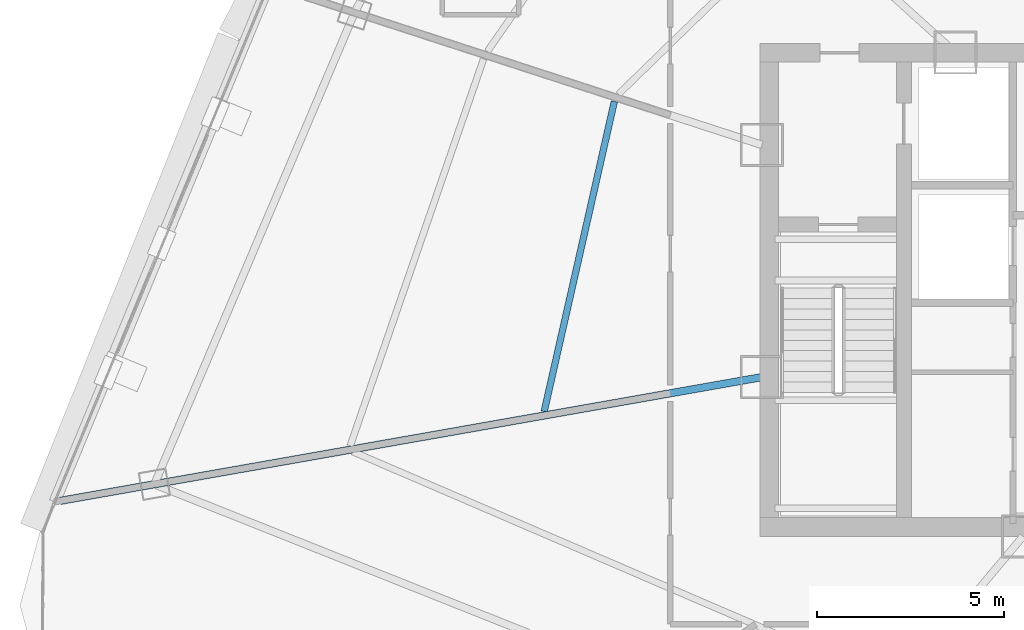
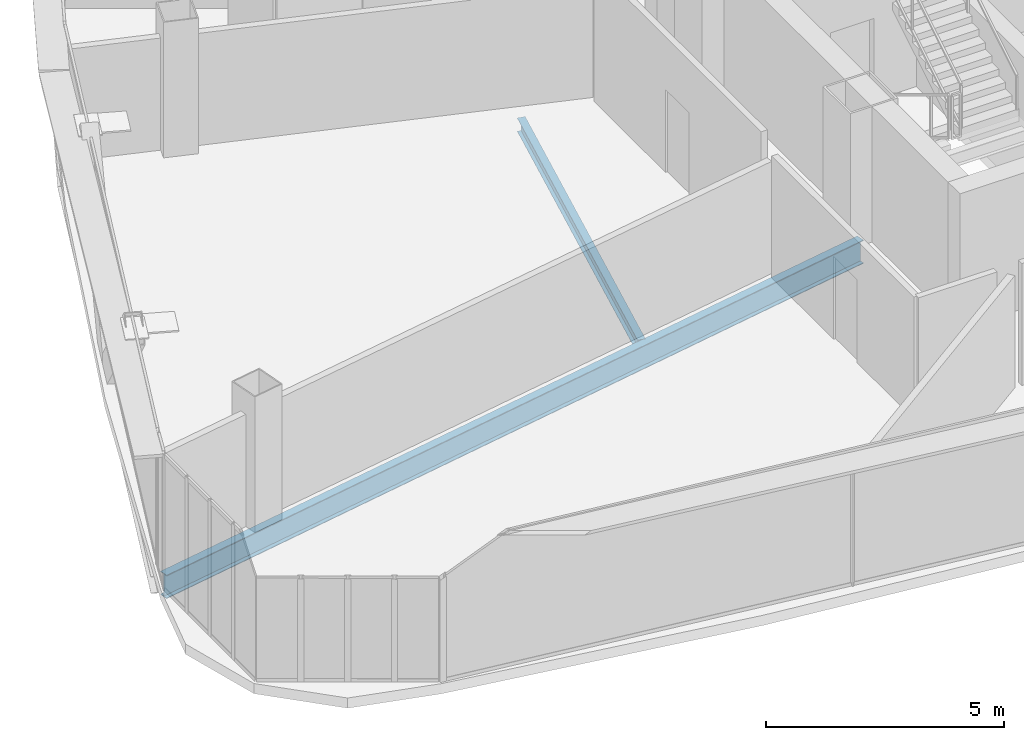
# One storey, part 5 of 39: 2 beams.
"""IFC4 building model written with IfcOpenShell, lengths in metres."""

from ifc_helpers import new_model, si_unit, direction, frame, origin, origin_2d, place, context, subcontext, project, spatial, i_section, extrude, source, transform, mapped, material, material_profile, profile_set, type_object, element, save


model = new_model("IFC4")

# Units and contexts
model_context = context("Model", 3, precision=1e-05, world=origin(), true_north=direction((0.0, 1.0)))
body_context = subcontext(model_context, "Body", "Model", "MODEL_VIEW")
ifc_project = project(units=[si_unit("LENGTHUNIT", "METRE"), si_unit("AREAUNIT", "SQUARE_METRE"), si_unit("VOLUMEUNIT", "CUBIC_METRE"), si_unit("PLANEANGLEUNIT", "RADIAN"), si_unit("MASSUNIT", "GRAM", prefix="KILO"), si_unit("THERMODYNAMICTEMPERATUREUNIT", "KELVIN"), si_unit("POWERUNIT", "WATT")], contexts=[model_context])

# Site, building, storey
site_placement = place(None, origin())
site = spatial("IfcSite", under=ifc_project, at=site_placement, CompositionType="ELEMENT")
building_placement = place(site_placement, origin())
building = spatial("IfcBuilding", under=site, at=building_placement, Name="Yunzhuo Pagoda Commons", CompositionType="ELEMENT")
storey_placement = place(building_placement, frame((0.0, 0.0, 296.2099609375)))
storey = spatial("IfcBuildingStorey", under=building, at=storey_placement, Name="L74", CompositionType="ELEMENT", Elevation=296.2099609375)

# Beams
ifc_material = material(Name="Structural steel Q355B", Category="steel")
ifc_material_profile_1 = material_profile(ifc_material, i_section(OverallWidth=0.175048828125, OverallDepth=0.35009765625, WebThickness=0.007080078125, FlangeThickness=0.010986328125, at=origin_2d()), Name="Structural steel Q355B")
ifc_profile_set_1 = profile_set([ifc_material_profile_1], Name="Structural steel Q355B")
beam_type_1 = type_object("IfcBeamType", Name="B-JS2 Joist HN 350x175x7x11", PredefinedType="JOIST", material=ifc_profile_set_1)
shared_shape_1 = source(origin(), body_context, "Body", "SweptSolid", [
    extrude(i_section(OverallWidth=0.175048828125, OverallDepth=0.35009765625, WebThickness=0.007080078125, FlangeThickness=0.010986328125, at=origin_2d()), origin(), (0.0, 0.0, 1.0), 8.508544921875),
])
beam_1_placement = place(storey_placement, frame((31.649658203125, 38.89208984375, -0.43505859375), z_axis=(-0.220769003385, -0.975326123481, 0.0), x_axis=(0.975326123481, -0.220769003385, 0.0)))
element("IfcBeam", 1, at=beam_1_placement, inside=storey, type_object=beam_type_1, Name="L74 composite ring joist 1.11", PredefinedType="JOIST", context=body_context, shape_type="MappedRepresentation", body=[
    mapped(shared_shape_1, transform((0.0, 0.0, 0.0), scale=1.0)),
])
ifc_material_profile_2 = material_profile(ifc_material, i_section(OverallWidth=0.199951171875, OverallDepth=0.60009765625, WebThickness=0.010986328125, FlangeThickness=0.01708984375, at=origin_2d()), Name="Structural steel Q355B")
ifc_profile_set_2 = profile_set([ifc_material_profile_2], Name="Structural steel Q355B")
beam_type_2 = type_object("IfcBeamType", Name="B-RG3 Beam HN 600x200x11x17", PredefinedType="BEAM", material=ifc_profile_set_2)
shared_shape_2 = source(origin(), body_context, "Body", "SweptSolid", [
    extrude(i_section(OverallWidth=0.199951171875, OverallDepth=0.60009765625, WebThickness=0.010986328125, FlangeThickness=0.01708984375, at=origin_2d()), origin(), (0.0, 0.0, 1.0), 19.06884765625),
])
beam_2_placement = place(storey_placement, frame((16.82080078125, 28.202392578125, -0.56005859375), z_axis=(0.984810098602, 0.173634874639, 0.0), x_axis=(-0.173634874639, 0.984810098602, 0.0)))
element("IfcBeam", 2, at=beam_2_placement, inside=storey, type_object=beam_type_2, Name="L74 radial floor girder F3C4", PredefinedType="BEAM", context=body_context, shape_type="MappedRepresentation", body=[
    mapped(shared_shape_2, transform((0.0, 0.0, 0.0), scale=1.0)),
])

save(model, "model.ifc")
